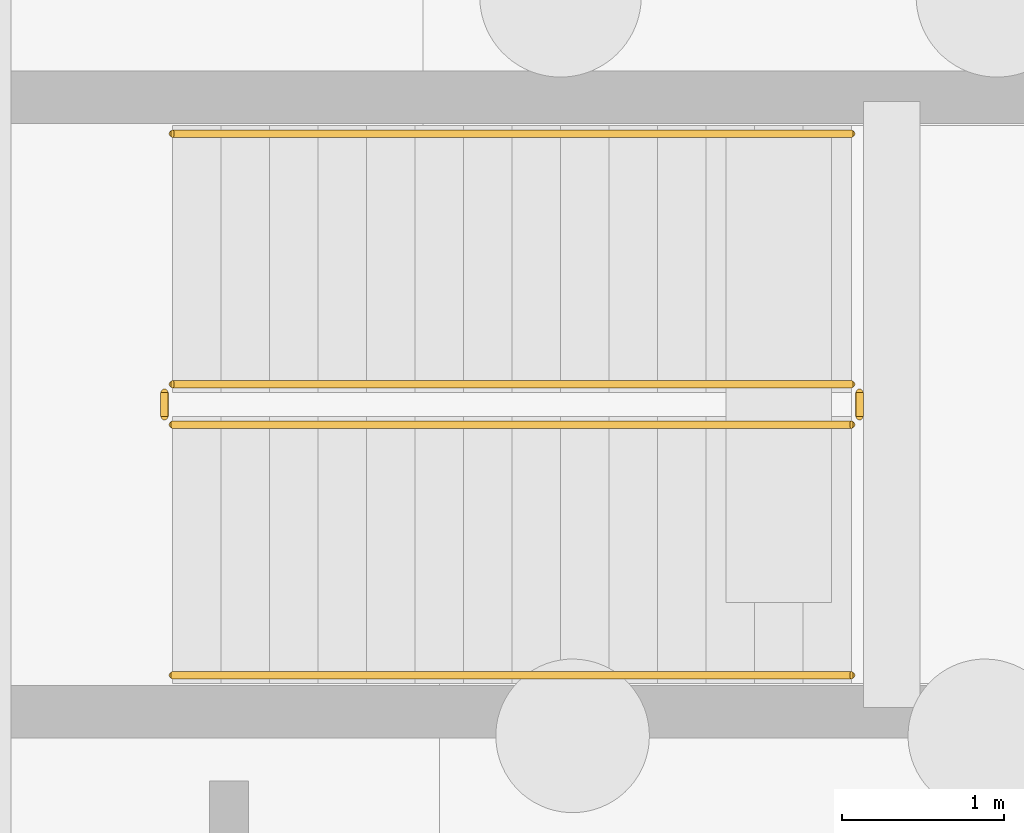
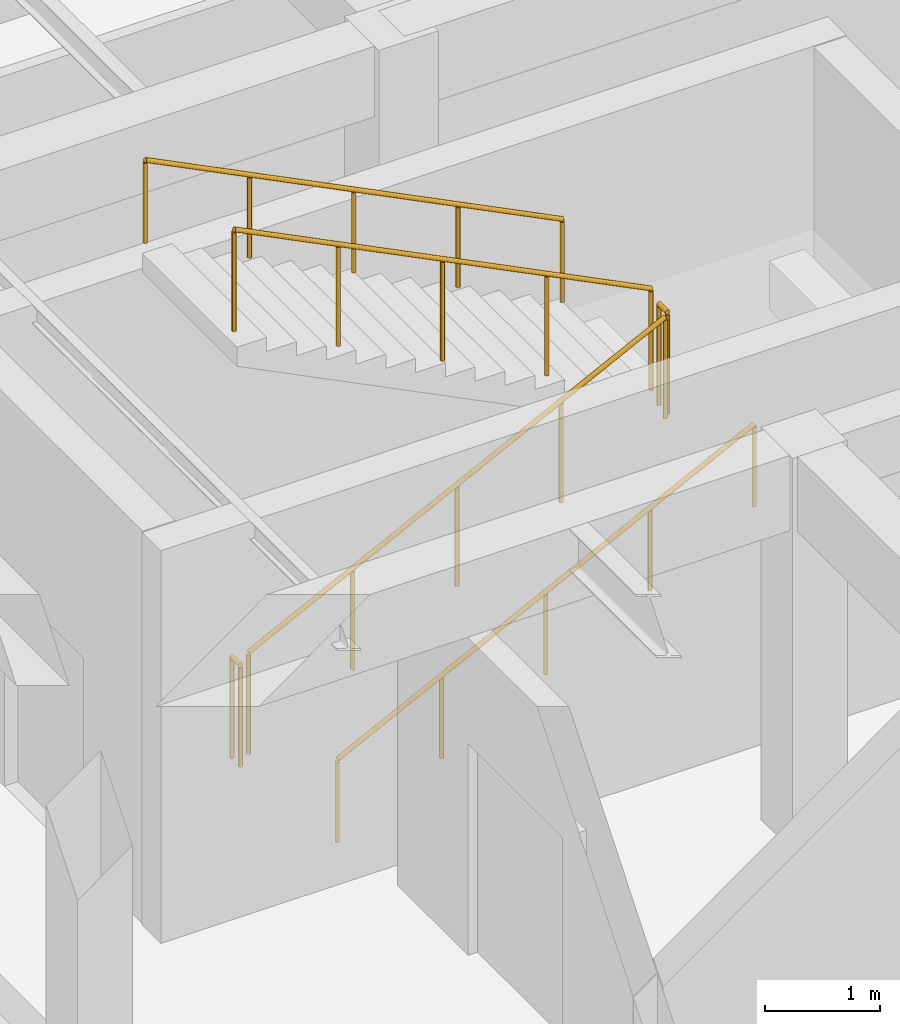
# One storey, part 63 of 63: 6 railings.
"""IFC4 building model written with IfcOpenShell, lengths in metres."""

from ifc_helpers import new_model, si_unit, direction, frame, origin, origin_2d, place, context, subcontext, project, spatial, circle, extrude, material, type_object, element, save


model = new_model("IFC4")

# Units and contexts
model_context = context("Model", 3, precision=1e-05, world=origin(), true_north=direction((0.0, 1.0)))
body_context = subcontext(model_context, "Body", "Model", "MODEL_VIEW")
ifc_project = project(units=[si_unit("LENGTHUNIT", "METRE"), si_unit("AREAUNIT", "SQUARE_METRE"), si_unit("VOLUMEUNIT", "CUBIC_METRE"), si_unit("PLANEANGLEUNIT", "RADIAN"), si_unit("MASSUNIT", "GRAM", prefix="KILO")], contexts=[model_context])

# Site, building, storey
site_placement = place(None, origin())
site = spatial("IfcSite", under=ifc_project, at=site_placement, CompositionType="ELEMENT")
building_placement = place(site_placement, origin())
building = spatial("IfcBuilding", under=site, at=building_placement, Name="Mazaris Harbour Polytechnic", CompositionType="ELEMENT")
storey_placement = place(building_placement, frame((0.0, 0.0, -4.5)))
storey = spatial("IfcBuildingStorey", under=building, at=storey_placement, Name="B1", CompositionType="ELEMENT", Elevation=-4.5)

# Railings
ifc_material_1 = material(Name="Stainless Steel S355", Category="steel")
railing_type_1 = type_object("IfcRailingType", Name="Stair Wall Handrail 900", PredefinedType="HANDRAIL", material=ifc_material_1)
railing_1_placement = place(storey_placement, frame((161.85009765625, 70.050048828125, 0.14990234375)))
element("IfcRailing", 1, at=railing_1_placement, inside=storey, type_object=railing_type_1, Name="B1 ST10 stair handrail 1", PredefinedType="HANDRAIL", context=body_context, shape_type="SweptSolid", body=[
    extrude(circle(Radius=0.02392578125, at=origin_2d()), frame((0.0, 0.0, 0.8759765625), z_axis=(0.894416792377, 0.0, 0.447234392142), x_axis=(0.0, 1.0, 0.0)), (0.0, 0.0, 1.0), 4.69580078125),
    extrude(circle(Radius=0.02099609375, at=origin_2d()), origin(), (0.0, 0.0, 1.0), 0.851806640625),
    extrude(circle(Radius=0.02099609375, at=origin_2d()), frame((1.050048828125, 0.0, 0.52490234375)), (0.0, 0.0, 1.0), 0.851806640625),
    extrude(circle(Radius=0.02099609375, at=origin_2d()), frame((2.10009765625, 0.0, 1.050048828125)), (0.0, 0.0, 1.0), 0.851806640625),
    extrude(circle(Radius=0.02099609375, at=origin_2d()), frame((3.14990234375, 0.0, 1.5751953125)), (0.0, 0.0, 1.0), 0.851806640625),
    extrude(circle(Radius=0.02099609375, at=origin_2d()), frame((4.199951171875, 0.0, 2.10009765625)), (0.0, 0.0, 1.0), 0.851806640625),
])
railing_2_placement = place(storey_placement, frame((166.050048828125, 73.39990234375, 2.39990234375)))
element("IfcRailing", 2, at=railing_2_placement, inside=storey, type_object=railing_type_1, Name="B1 ST10 stair handrail 2", PredefinedType="HANDRAIL", context=body_context, shape_type="SweptSolid", body=[
    extrude(circle(Radius=0.02392578125, at=origin_2d()), frame((0.0, 0.0, 0.8759765625), z_axis=(-0.894416792377, 0.0, 0.447234392142), x_axis=(0.0, -1.0, 0.0)), (0.0, 0.0, 1.0), 4.69580078125),
    extrude(circle(Radius=0.02099609375, at=origin_2d()), origin(), (0.0, 0.0, 1.0), 0.851806640625),
    extrude(circle(Radius=0.02099609375, at=origin_2d()), frame((-1.050048828125, 0.0, 0.52490234375)), (0.0, 0.0, 1.0), 0.851806640625),
    extrude(circle(Radius=0.02099609375, at=origin_2d()), frame((-2.10009765625, 0.0, 1.050048828125)), (0.0, 0.0, 1.0), 0.851806640625),
    extrude(circle(Radius=0.02099609375, at=origin_2d()), frame((-3.14990234375, 0.0, 1.5751953125)), (0.0, 0.0, 1.0), 0.851806640625),
    extrude(circle(Radius=0.02099609375, at=origin_2d()), frame((-4.199951171875, 0.0, 2.10009765625)), (0.0, 0.0, 1.0), 0.851806640625),
])
ifc_material_2 = material(Name="Steel S355", Category="steel")
railing_type_2 = type_object("IfcRailingType", Name="Stair Well Guardrail 1100", PredefinedType="GUARDRAIL", material=ifc_material_2)
railing_3_placement = place(storey_placement, frame((161.85009765625, 71.60009765625, 0.14990234375)))
element("IfcRailing", 3, at=railing_3_placement, inside=storey, type_object=railing_type_2, Name="B1 ST10 stair guard 1", PredefinedType="GUARDRAIL", context=body_context, shape_type="SweptSolid", body=[
    extrude(circle(Radius=0.02392578125, at=origin_2d()), frame((0.0, 0.0, 1.076171875), z_axis=(0.894416792377, 0.0, 0.447234392142), x_axis=(0.0, 1.0, 0.0)), (0.0, 0.0, 1.0), 4.69580078125),
    extrude(circle(Radius=0.02099609375, at=origin_2d()), origin(), (0.0, 0.0, 1.0), 1.052001953125),
    extrude(circle(Radius=0.02099609375, at=origin_2d()), frame((1.050048828125, 0.0, 0.52490234375)), (0.0, 0.0, 1.0), 1.052001953125),
    extrude(circle(Radius=0.02099609375, at=origin_2d()), frame((2.10009765625, 0.0, 1.050048828125)), (0.0, 0.0, 1.0), 1.052001953125),
    extrude(circle(Radius=0.02099609375, at=origin_2d()), frame((3.14990234375, 0.0, 1.5751953125)), (0.0, 0.0, 1.0), 1.052001953125),
    extrude(circle(Radius=0.02099609375, at=origin_2d()), frame((4.199951171875, 0.0, 2.10009765625)), (0.0, 0.0, 1.0), 1.052001953125),
])
railing_4_placement = place(storey_placement, frame((166.10009765625, 71.64990234375, 2.25)))
element("IfcRailing", 4, at=railing_4_placement, inside=storey, type_object=railing_type_2, Name="B1 ST10 stair guard 2", PredefinedType="GUARDRAIL", context=body_context, shape_type="SweptSolid", body=[
    extrude(circle(Radius=0.02392578125, at=origin_2d()), frame((0.0, 0.0, 1.076171875), z_axis=(0.0, 1.0, 0.0), x_axis=(-1.0, 0.0, 0.0)), (0.0, 0.0, 1.0), 0.150146484375),
    extrude(circle(Radius=0.02099609375, at=origin_2d()), origin(), (0.0, 0.0, 1.0), 1.052001953125),
    extrude(circle(Radius=0.02099609375, at=origin_2d()), frame((0.0, 0.150146484375, 0.0)), (0.0, 0.0, 1.0), 1.052001953125),
])
railing_5_placement = place(storey_placement, frame((166.050048828125, 71.85009765625, 2.39990234375)))
element("IfcRailing", 5, at=railing_5_placement, inside=storey, type_object=railing_type_2, Name="B1 ST10 stair guard 3", PredefinedType="GUARDRAIL", context=body_context, shape_type="SweptSolid", body=[
    extrude(circle(Radius=0.02392578125, at=origin_2d()), frame((0.0, 0.0, 1.076171875), z_axis=(-0.894416792377, 0.0, 0.447234392142), x_axis=(0.0, -1.0, 0.0)), (0.0, 0.0, 1.0), 4.69580078125),
    extrude(circle(Radius=0.02099609375, at=origin_2d()), origin(), (0.0, 0.0, 1.0), 1.052001953125),
    extrude(circle(Radius=0.02099609375, at=origin_2d()), frame((-1.050048828125, 0.0, 0.52490234375)), (0.0, 0.0, 1.0), 1.052001953125),
    extrude(circle(Radius=0.02099609375, at=origin_2d()), frame((-2.10009765625, 0.0, 1.050048828125)), (0.0, 0.0, 1.0), 1.052001953125),
    extrude(circle(Radius=0.02099609375, at=origin_2d()), frame((-3.14990234375, 0.0, 1.5751953125)), (0.0, 0.0, 1.0), 1.052001953125),
    extrude(circle(Radius=0.02099609375, at=origin_2d()), frame((-4.199951171875, 0.0, 2.10009765625)), (0.0, 0.0, 1.0), 1.052001953125),
])
railing_6_placement = place(storey_placement, frame((161.800048828125, 71.64990234375, 0.0)))
element("IfcRailing", 6, at=railing_6_placement, inside=storey, type_object=railing_type_2, Name="B1 ST10 stair guard 4", PredefinedType="GUARDRAIL", context=body_context, shape_type="SweptSolid", body=[
    extrude(circle(Radius=0.02392578125, at=origin_2d()), frame((0.0, 0.0, 1.076171875), z_axis=(0.0, 1.0, 0.0), x_axis=(-1.0, 0.0, 0.0)), (0.0, 0.0, 1.0), 0.150146484375),
    extrude(circle(Radius=0.02099609375, at=origin_2d()), origin(), (0.0, 0.0, 1.0), 1.052001953125),
    extrude(circle(Radius=0.02099609375, at=origin_2d()), frame((0.0, 0.150146484375, 0.0)), (0.0, 0.0, 1.0), 1.052001953125),
])

save(model, "model.ifc")
